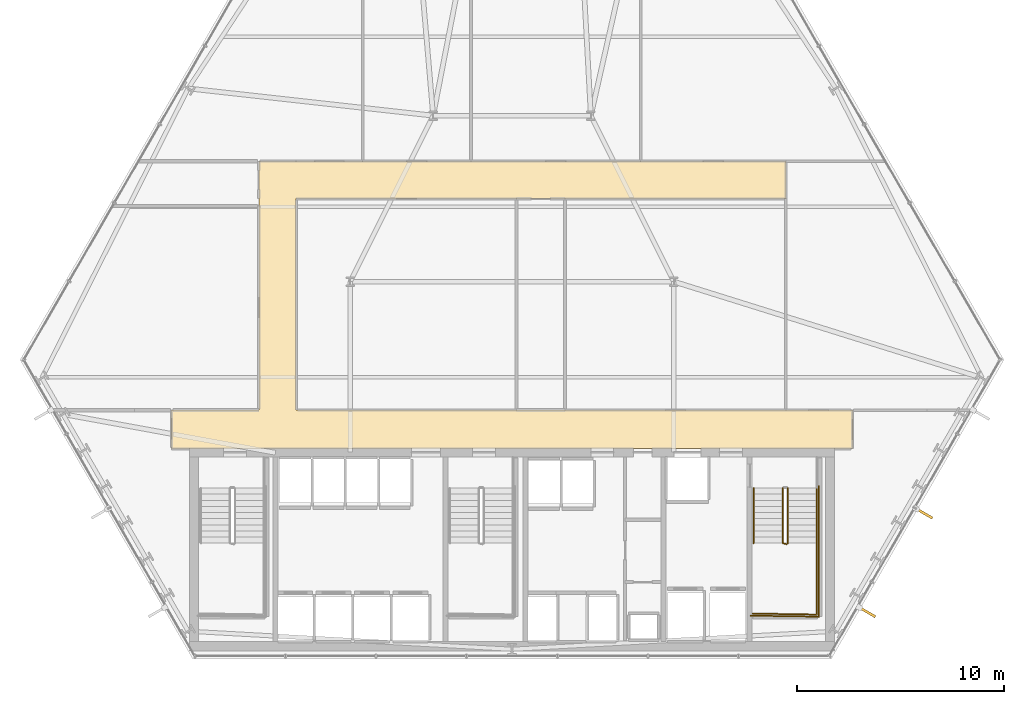
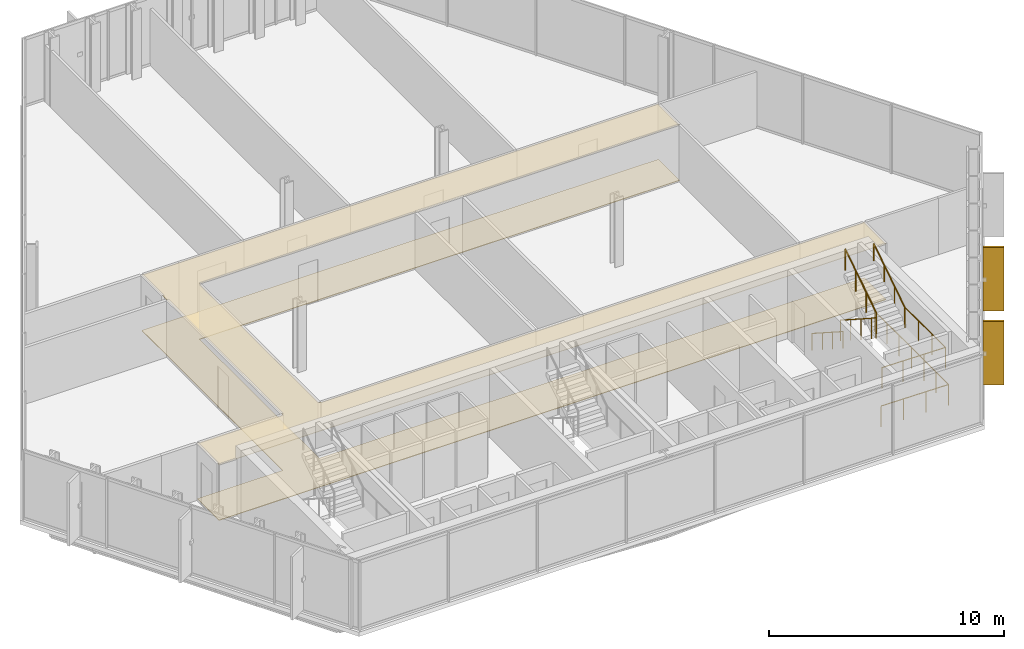
# One storey, part 31 of 33: 6 railings, 2 coverings, 2 shading devices.
"""IFC4 building model written with IfcOpenShell, lengths in metres."""

from ifc_helpers import new_model, si_unit, direction, frame, origin, origin_2d, place, context, subcontext, project, spatial, polyline, rectangle, circle, outline, extrude, material, layer, layer_set, type_object, element, save


model = new_model("IFC4")

# Units and contexts
model_context = context("Model", 3, precision=1e-05, world=origin(), true_north=direction((0.0, 1.0)))
body_context = subcontext(model_context, "Body", "Model", "MODEL_VIEW")
ifc_project = project(units=[si_unit("LENGTHUNIT", "METRE"), si_unit("AREAUNIT", "SQUARE_METRE"), si_unit("VOLUMEUNIT", "CUBIC_METRE"), si_unit("PLANEANGLEUNIT", "RADIAN"), si_unit("MASSUNIT", "GRAM", prefix="KILO")], contexts=[model_context])

# Site, building, storey
site_placement = place(None, origin())
site = spatial("IfcSite", under=ifc_project, at=site_placement, CompositionType="ELEMENT")
building_placement = place(site_placement, origin())
building = spatial("IfcBuilding", under=site, at=building_placement, Name="Ndaravel Arena Tower", CompositionType="ELEMENT")
storey_placement = place(building_placement, frame((0.0, 0.0, 39.800048828125)))
storey = spatial("IfcBuildingStorey", under=building, at=storey_placement, Name="L07", CompositionType="ELEMENT", Elevation=39.800048828125)

# Coverings
ifc_material_1 = material(Name="Acoustic Ceiling Tile", Category="finish")
ifc_layer_1 = layer(ifc_material_1, 0.02490234375)
ifc_layer_set_1 = layer_set([ifc_layer_1], Name="Acoustic Ceiling Tile")
covering_type_1 = type_object("IfcCoveringType", Name="COV-CEIL-AC600", PredefinedType="CEILING", material=ifc_layer_set_1)
covering_1_placement = place(storey_placement, frame((0.0, 0.0, 2.90283203125)))
element("IfcCovering", 1, at=covering_1_placement, inside=storey, type_object=covering_type_1, Name="L07 Corridor Acoustic Ceiling", PredefinedType="CEILING", context=body_context, shape_type="SweptSolid", body=[
    extrude(outline(polyline([(58.39990234375, 17.0), (31.60009765625, 17.0), (31.60009765625, 27.199951171875), (55.199951171875, 27.199951171875), (55.199951171875, 29.0), (31.60009765625, 29.0), (29.800048828125, 29.0), (29.800048828125, 27.199951171875), (29.800048828125, 17.0), (25.60009765625, 17.0), (25.60009765625, 15.14990234375), (58.39990234375, 15.14990234375), (58.39990234375, 17.0)])), origin(), (0.0, 0.0, 1.0), 0.02490234375),
])
ifc_material_2 = material(Name="Terrazzo", Category="stone")
ifc_layer_2 = layer(ifc_material_2, 0.030029296875)
ifc_layer_set_2 = layer_set([ifc_layer_2], Name="Terrazzo")
covering_type_2 = type_object("IfcCoveringType", Name="COV-FLOOR-TERRAZZO", PredefinedType="FLOORING", material=ifc_layer_set_2)
covering_2_placement = place(storey_placement, origin())
element("IfcCovering", 2, at=covering_2_placement, inside=storey, type_object=covering_type_2, Name="L07 Corridor Terrazzo Flooring", PredefinedType="FLOORING", context=body_context, shape_type="SweptSolid", body=[
    extrude(outline(polyline([(58.39990234375, 17.0), (31.60009765625, 17.0), (31.60009765625, 27.199951171875), (55.199951171875, 27.199951171875), (55.199951171875, 29.0), (31.60009765625, 29.0), (29.800048828125, 29.0), (29.800048828125, 27.199951171875), (29.800048828125, 17.0), (25.60009765625, 17.0), (25.60009765625, 15.14990234375), (58.39990234375, 15.14990234375), (58.39990234375, 17.0)])), origin(), (0.0, 0.0, 1.0), 0.030029296875),
])

# Railings
ifc_material_3 = material(Name="Steel S355", Category="steel")
ifc_layer_3 = layer(ifc_material_3, 0.06005859375)
ifc_layer_set_3 = layer_set([ifc_layer_3], Name="Steel S355")
railing_type_1 = type_object("IfcRailingType", Name="RAIL-STAIR-GD1100", PredefinedType="GUARDRAIL", material=ifc_layer_set_3)
railing_1_placement = place(storey_placement, frame((55.050048828125, 13.25, 0.18994140625)))
element("IfcRailing", 3, at=railing_1_placement, inside=storey, type_object=railing_type_1, Name="L07 ST-3 stair guard 1", PredefinedType="GUARDRAIL", context=body_context, shape_type="SweptSolid", body=[
    extrude(circle(Radius=0.02392578125, at=origin_2d()), frame((0.0, 0.0, 1.076171875), z_axis=(0.0, -0.840723540582, 0.54146461409), x_axis=(1.0, 0.0, 0.0)), (0.0, 0.0, 1.0), 3.157958984375),
    extrude(circle(Radius=0.02392578125, at=origin_2d()), frame((0.0, -2.655029296875, 2.7861328125), z_axis=(0.966993988697, -0.254799187253, 0.0), x_axis=(0.254799187253, 0.966993988697, 0.0)), (0.0, 0.0, 1.0), 0.196533203125),
    extrude(circle(Radius=0.02099609375, at=origin_2d()), origin(), (0.0, 0.0, 1.0), 1.052001953125),
    extrude(circle(Radius=0.02099609375, at=origin_2d()), frame((0.0, -0.885009765625, 0.570068359375)), (0.0, 0.0, 1.0), 1.052001953125),
    extrude(circle(Radius=0.02099609375, at=origin_2d()), frame((0.0, -1.77001953125, 1.139892578125)), (0.0, 0.0, 1.0), 1.052001953125),
    extrude(circle(Radius=0.02099609375, at=origin_2d()), frame((0.0, -2.655029296875, 1.7099609375)), (0.0, 0.0, 1.0), 1.052001953125),
    extrude(circle(Radius=0.02099609375, at=origin_2d()), frame((0.18994140625, -2.705078125, 1.7099609375)), (0.0, 0.0, 1.0), 1.052001953125),
])
railing_2_placement = place(storey_placement, frame((56.68994140625, 10.594970703125, 1.89990234375)))
element("IfcRailing", 4, at=railing_2_placement, inside=storey, type_object=railing_type_1, Name="L07 ST-3 stair guard 2", PredefinedType="GUARDRAIL", context=body_context, shape_type="SweptSolid", body=[
    extrude(circle(Radius=0.02392578125, at=origin_2d()), frame((0.0, 0.0, 1.076171875), z_axis=(0.0, -1.0, 0.0), x_axis=(1.0, 0.0, 0.0)), (0.0, 0.0, 1.0), 3.445068359375),
    extrude(circle(Radius=0.02392578125, at=origin_2d()), frame((0.0, -3.445068359375, 1.076171875), z_axis=(-0.999868840623, 0.016195726322, 0.0), x_axis=(-0.016195726322, -0.999868840623, 0.0)), (0.0, 0.0, 1.0), 3.09033203125),
    extrude(circle(Radius=0.02099609375, at=origin_2d()), origin(), (0.0, 0.0, 1.0), 1.052001953125),
    extrude(circle(Radius=0.02099609375, at=origin_2d()), frame((0.0, -1.1484375, 0.0)), (0.0, 0.0, 1.0), 1.052001953125),
    extrude(circle(Radius=0.02099609375, at=origin_2d()), frame((0.0, -2.296630859375, 0.0)), (0.0, 0.0, 1.0), 1.052001953125),
    extrude(circle(Radius=0.02099609375, at=origin_2d()), frame((0.0, -3.445068359375, 0.0)), (0.0, 0.0, 1.0), 1.052001953125),
    extrude(circle(Radius=0.02099609375, at=origin_2d()), frame((-1.030029296875, -3.428466796875, 0.0)), (0.0, 0.0, 1.0), 1.052001953125),
    extrude(circle(Radius=0.02099609375, at=origin_2d()), frame((-2.059814453125, -3.41162109375, 0.0)), (0.0, 0.0, 1.0), 1.052001953125),
    extrude(circle(Radius=0.02099609375, at=origin_2d()), frame((-3.08984375, -3.39501953125, 0.0)), (0.0, 0.0, 1.0), 1.052001953125),
])
railing_3_placement = place(storey_placement, frame((55.2900390625, 10.594970703125, 2.08984375)))
element("IfcRailing", 5, at=railing_3_placement, inside=storey, type_object=railing_type_1, Name="L07 ST-3 stair guard 3", PredefinedType="GUARDRAIL", context=body_context, shape_type="SweptSolid", body=[
    extrude(circle(Radius=0.02392578125, at=origin_2d()), frame((0.0, 0.0, 1.076171875), z_axis=(0.0, 0.840688348013, 0.541519253134), x_axis=(-1.0, 0.0, 0.0)), (0.0, 0.0, 1.0), 3.158203125),
    extrude(circle(Radius=0.02099609375, at=origin_2d()), origin(), (0.0, 0.0, 1.0), 1.052001953125),
    extrude(circle(Radius=0.02099609375, at=origin_2d()), frame((0.0, 0.885009765625, 0.570068359375)), (0.0, 0.0, 1.0), 1.052001953125),
    extrude(circle(Radius=0.02099609375, at=origin_2d()), frame((0.0, 1.77001953125, 1.14013671875)), (0.0, 0.0, 1.0), 1.052001953125),
    extrude(circle(Radius=0.02099609375, at=origin_2d()), frame((0.0, 2.655029296875, 1.710205078125)), (0.0, 0.0, 1.0), 1.052001953125),
])
railing_4_placement = place(storey_placement, frame((56.7900390625, 13.35009765625, 0.0)))
element("IfcRailing", 6, at=railing_4_placement, inside=storey, type_object=railing_type_1, Name="L07 ST-3 stair guard 6", PredefinedType="GUARDRAIL", context=body_context, shape_type="SweptSolid", body=[
    extrude(circle(Radius=0.02392578125, at=origin_2d()), frame((0.0, 0.0, 1.076171875), z_axis=(0.0, -1.0, 0.0), x_axis=(1.0, 0.0, 0.0)), (0.0, 0.0, 1.0), 6.300048828125),
    extrude(circle(Radius=0.02392578125, at=origin_2d()), frame((0.0, -6.300048828125, 1.076171875), z_axis=(-0.99988431412, 0.015210469308, 0.0), x_axis=(-0.015210469308, -0.99988431412, 0.0)), (0.0, 0.0, 1.0), 3.29052734375),
    extrude(circle(Radius=0.02099609375, at=origin_2d()), origin(), (0.0, 0.0, 1.0), 1.052001953125),
    extrude(circle(Radius=0.02099609375, at=origin_2d()), frame((0.0, -1.050048828125, 0.0)), (0.0, 0.0, 1.0), 1.052001953125),
    extrude(circle(Radius=0.02099609375, at=origin_2d()), frame((0.0, -2.10009765625, 0.0)), (0.0, 0.0, 1.0), 1.052001953125),
    extrude(circle(Radius=0.02099609375, at=origin_2d()), frame((0.0, -3.14990234375, 0.0)), (0.0, 0.0, 1.0), 1.052001953125),
    extrude(circle(Radius=0.02099609375, at=origin_2d()), frame((0.0, -4.199951171875, 0.0)), (0.0, 0.0, 1.0), 1.052001953125),
    extrude(circle(Radius=0.02099609375, at=origin_2d()), frame((0.0, -5.25, 0.0)), (0.0, 0.0, 1.0), 1.052001953125),
    extrude(circle(Radius=0.02099609375, at=origin_2d()), frame((0.0, -6.300048828125, 0.0)), (0.0, 0.0, 1.0), 1.052001953125),
    extrude(circle(Radius=0.02099609375, at=origin_2d()), frame((-1.0966796875, -6.283447265625, 0.0)), (0.0, 0.0, 1.0), 1.052001953125),
    extrude(circle(Radius=0.02099609375, at=origin_2d()), frame((-2.193359375, -6.2666015625, 0.0)), (0.0, 0.0, 1.0), 1.052001953125),
    extrude(circle(Radius=0.02099609375, at=origin_2d()), frame((-3.2900390625, -6.25, 0.0)), (0.0, 0.0, 1.0), 1.052001953125),
])
ifc_material_4 = material(Name="Steel S355", Category="steel")
ifc_layer_4 = layer(ifc_material_4, 0.050048828125)
ifc_layer_set_4 = layer_set([ifc_layer_4], Name="Steel S355")
railing_type_2 = type_object("IfcRailingType", Name="RAIL-STAIR-HR920", PredefinedType="HANDRAIL", material=ifc_layer_set_4)
railing_5_placement = place(storey_placement, frame((53.64990234375, 13.25, 0.18994140625)))
element("IfcRailing", 7, at=railing_5_placement, inside=storey, type_object=railing_type_2, Name="L07 ST-3 stair handrail 1", PredefinedType="HANDRAIL", context=body_context, shape_type="SweptSolid", body=[
    extrude(circle(Radius=0.02392578125, at=origin_2d()), frame((0.0, 0.0, 0.8759765625), z_axis=(0.0, -0.840723540582, 0.54146461409), x_axis=(1.0, 0.0, 0.0)), (0.0, 0.0, 1.0), 3.157958984375),
    extrude(circle(Radius=0.02099609375, at=origin_2d()), origin(), (0.0, 0.0, 1.0), 0.851806640625),
    extrude(circle(Radius=0.02099609375, at=origin_2d()), frame((0.0, -0.885009765625, 0.570068359375)), (0.0, 0.0, 1.0), 0.851806640625),
    extrude(circle(Radius=0.02099609375, at=origin_2d()), frame((0.0, -1.77001953125, 1.139892578125)), (0.0, 0.0, 1.0), 0.851806640625),
    extrude(circle(Radius=0.02099609375, at=origin_2d()), frame((0.0, -2.655029296875, 1.7099609375)), (0.0, 0.0, 1.0), 0.851806640625),
])
railing_6_placement = place(storey_placement, frame((56.68994140625, 10.594970703125, 2.08984375)))
element("IfcRailing", 8, at=railing_6_placement, inside=storey, type_object=railing_type_2, Name="L07 ST-3 stair handrail 2", PredefinedType="HANDRAIL", context=body_context, shape_type="SweptSolid", body=[
    extrude(circle(Radius=0.02392578125, at=origin_2d()), frame((0.0, 0.0, 0.8759765625), z_axis=(0.0, 0.840688348013, 0.541519253134), x_axis=(-1.0, 0.0, 0.0)), (0.0, 0.0, 1.0), 3.158203125),
    extrude(circle(Radius=0.02099609375, at=origin_2d()), origin(), (0.0, 0.0, 1.0), 0.851806640625),
    extrude(circle(Radius=0.02099609375, at=origin_2d()), frame((0.0, 0.885009765625, 0.570068359375)), (0.0, 0.0, 1.0), 0.851806640625),
    extrude(circle(Radius=0.02099609375, at=origin_2d()), frame((0.0, 1.77001953125, 1.14013671875)), (0.0, 0.0, 1.0), 0.851806640625),
    extrude(circle(Radius=0.02099609375, at=origin_2d()), frame((0.0, 2.655029296875, 1.710205078125)), (0.0, 0.0, 1.0), 0.851806640625),
])

# Shading devices
ifc_material_5 = material(Name="Masonry", Category="masonry")
shading_device_type = type_object("IfcShadingDeviceType", Name="SHD-MAZERAS-FIN", PredefinedType="SHUTTER", material=ifc_material_5)
for number, where, z_axis, x_axis, name in (
    (9, (59.123779296875, 7.271240234375, 0.14990234375), (0.0, 0.0, 1.0), (0.866025403784, -0.5, 0.0), "L07 Mazeras Stone Solar Fin E2.1"),
    (10, (61.8701171875, 12.028076171875, 0.14990234375), (0.0, 0.0, 1.0), (0.866025403784, -0.5, 0.0), "L07 Mazeras Stone Solar Fin E2.2"),
):
    element("IfcShadingDevice", number, at=place(storey_placement, frame(where, z_axis=z_axis, x_axis=x_axis)), inside=storey, type_object=shading_device_type, Name=name, PredefinedType="SHUTTER", context=body_context, shape_type="SweptSolid", body=[
        extrude(rectangle(XDim=0.89990234375, YDim=0.1201171875, at=origin_2d()), origin(), (0.0, 0.0, 1.0), 3.280029296875),
    ])

save(model, "model.ifc")
